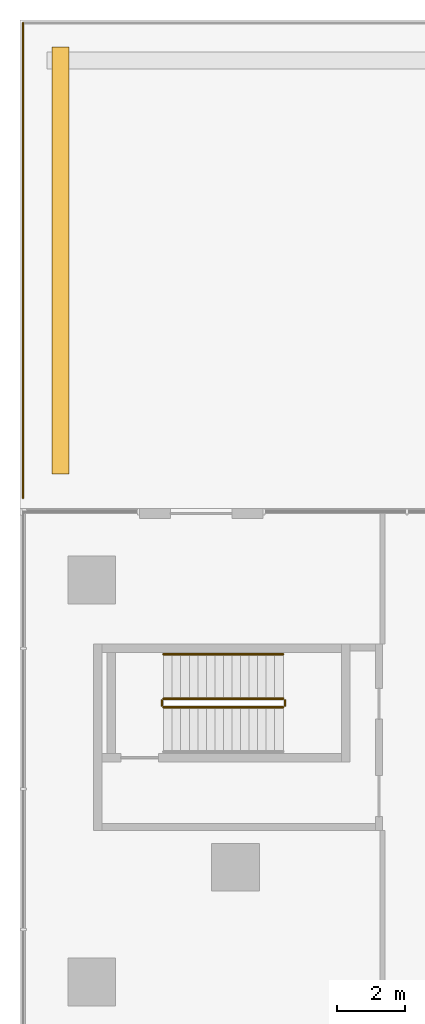
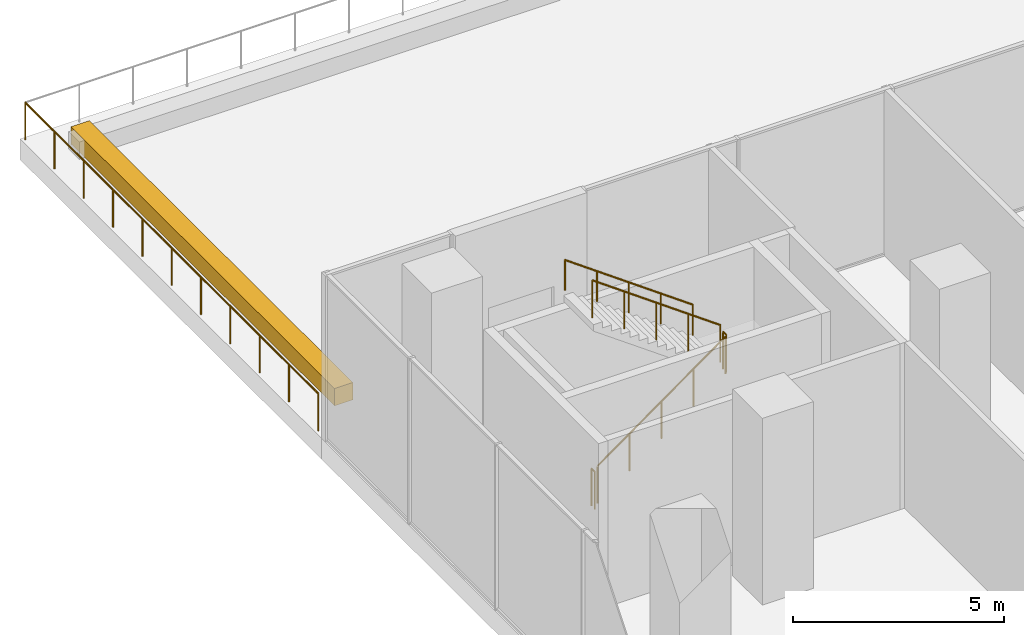
# One storey, part 23 of 24: 6 railings, 1 covering.
"""IFC4 building model written with IfcOpenShell, lengths in metres."""

from ifc_helpers import new_model, si_unit, direction, frame, origin, origin_2d, place, context, subcontext, project, spatial, rectangle, circle, extrude, source, transform, mapped, material, type_object, element, save


model = new_model("IFC4")

# Units and contexts
model_context = context("Model", 3, precision=1e-05, world=origin(), true_north=direction((0.0, 1.0)))
body_context = subcontext(model_context, "Body", "Model", "MODEL_VIEW")
ifc_project = project(units=[si_unit("LENGTHUNIT", "METRE"), si_unit("AREAUNIT", "SQUARE_METRE"), si_unit("VOLUMEUNIT", "CUBIC_METRE"), si_unit("PLANEANGLEUNIT", "RADIAN"), si_unit("MASSUNIT", "GRAM", prefix="KILO")], contexts=[model_context])

# Site, building, storey
site_placement = place(None, origin())
site = spatial("IfcSite", under=ifc_project, at=site_placement, CompositionType="ELEMENT")
building_placement = place(site_placement, origin())
building = spatial("IfcBuilding", under=site, at=building_placement, Name="Aurelian Terraces", CompositionType="ELEMENT")
storey_placement = place(building_placement, frame((0.0, 0.0, 12.9)))
storey = spatial("IfcBuildingStorey", under=building, at=storey_placement, Name="L02", CompositionType="ELEMENT", Elevation=12.9)

# Railing
ifc_material_1 = material(Name="Anodised aluminium", Category="aluminium")
railing_type_1 = type_object("IfcRailingType", Name="GUARD-1100", PredefinedType="GUARDRAIL", material=ifc_material_1)
railing_1_placement = place(storey_placement, frame((-2.01, 72.12, 0.0)))
element("IfcRailing", 1, at=railing_1_placement, inside=storey, type_object=railing_type_1, Name="Terrace guard L02 L02-X1.1", PredefinedType="GUARDRAIL", context=body_context, shape_type="SweptSolid", body=[
    extrude(circle(Radius=0.024, at=origin_2d()), frame((0.0, 0.0, 1.076), z_axis=(0.0, 1.0, 0.0), x_axis=(-1.0, 0.0, 0.0)), (0.0, 0.0, 1.0), 13.89),
    extrude(circle(Radius=0.021, at=origin_2d()), origin(), (0.0, 0.0, 1.0), 1.052),
    extrude(circle(Radius=0.021, at=origin_2d()), frame((0.0, 1.389, 0.0)), (0.0, 0.0, 1.0), 1.052),
    extrude(circle(Radius=0.021, at=origin_2d()), frame((0.0, 2.778, 0.0)), (0.0, 0.0, 1.0), 1.052),
    extrude(circle(Radius=0.021, at=origin_2d()), frame((0.0, 4.167, 0.0)), (0.0, 0.0, 1.0), 1.052),
    extrude(circle(Radius=0.021, at=origin_2d()), frame((0.0, 5.556, 0.0)), (0.0, 0.0, 1.0), 1.052),
    extrude(circle(Radius=0.021, at=origin_2d()), frame((0.0, 6.945, 0.0)), (0.0, 0.0, 1.0), 1.052),
    extrude(circle(Radius=0.021, at=origin_2d()), frame((0.0, 8.334, 0.0)), (0.0, 0.0, 1.0), 1.052),
    extrude(circle(Radius=0.021, at=origin_2d()), frame((0.0, 9.723, 0.0)), (0.0, 0.0, 1.0), 1.052),
    extrude(circle(Radius=0.021, at=origin_2d()), frame((0.0, 11.112, 0.0)), (0.0, 0.0, 1.0), 1.052),
    extrude(circle(Radius=0.021, at=origin_2d()), frame((0.0, 12.501, 0.0)), (0.0, 0.0, 1.0), 1.052),
    extrude(circle(Radius=0.021, at=origin_2d()), frame((0.0, 13.89, 0.0)), (0.0, 0.0, 1.0), 1.052),
])

# Covering
ifc_material_2 = material(Name="Terracotta planter with planting soil", Category="masonry")
covering_type = type_object("IfcCoveringType", Name="PLANTER-TROUGH", PredefinedType="USERDEFINED", material=ifc_material_2)
covering_placement = place(storey_placement, frame((-0.91, 79.065, 0.0), z_axis=(0.0, 0.0, 1.0), x_axis=(1.0, 0.0, 0.0)))
element("IfcCovering", 2, at=covering_placement, inside=storey, type_object=covering_type, Name="PLANTER L02 terrace L02-X1-0.1", ObjectType="PLANTER", PredefinedType="USERDEFINED", context=body_context, shape_type="SweptSolid", body=[
    extrude(rectangle(XDim=0.5, YDim=12.49, at=origin_2d()), origin(), (0.0, 0.0, 1.0), 0.5),
])

# Railings
ifc_material_3 = material(Name="Stainless steel", Category="steel")
railing_type_2 = type_object("IfcRailingType", Name="Stair guard 1100", PredefinedType="GUARDRAIL", material=ifc_material_3)
shared_shape_1 = source(origin(), body_context, "Body", "SweptSolid", [
    extrude(circle(Radius=0.024, at=origin_2d()), frame((0.0, 0.0, 1.076), z_axis=(0.0, 1.0, 0.0), x_axis=(-1.0, 0.0, 0.0)), (0.0, 0.0, 1.0), 0.15),
    extrude(circle(Radius=0.021, at=origin_2d()), origin(), (0.0, 0.0, 1.0), 1.052),
    extrude(circle(Radius=0.021, at=origin_2d()), frame((0.0, 0.15, 0.0)), (0.0, 0.0, 1.0), 1.052),
])
for number, where, name in (
    (3, (5.65, 66.05, 2.7), "L02 S5 stair guard 2"),
    (4, (2.05, 66.05, 0.0), "L02 S5 stair guard 4"),
):
    element("IfcRailing", number, at=place(storey_placement, frame(where)), inside=storey, type_object=railing_type_2, Name=name, PredefinedType="GUARDRAIL", context=body_context, shape_type="MappedRepresentation", body=[
        mapped(shared_shape_1, transform((0.0, 0.0, 0.0), scale=1.0)),
    ])
shared_shape_2 = source(origin(), body_context, "Body", "SweptSolid", [
    extrude(circle(Radius=0.024, at=origin_2d()), frame((0.0, 0.0, 1.076), z_axis=(0.811534341451, 0.0, 0.584304725845), x_axis=(0.0, 1.0, 0.0)), (0.0, 0.0, 1.0), 4.3128),
    extrude(circle(Radius=0.021, at=origin_2d()), origin(), (0.0, 0.0, 1.0), 1.052),
    extrude(circle(Radius=0.021, at=origin_2d()), frame((0.875, 0.0, 0.63)), (0.0, 0.0, 1.0), 1.052),
    extrude(circle(Radius=0.021, at=origin_2d()), frame((1.75, 0.0, 1.26)), (0.0, 0.0, 1.0), 1.052),
    extrude(circle(Radius=0.021, at=origin_2d()), frame((2.625, 0.0, 1.89)), (0.0, 0.0, 1.0), 1.052),
    extrude(circle(Radius=0.021, at=origin_2d()), frame((3.5, 0.0, 2.52)), (0.0, 0.0, 1.0), 1.052),
])
railing_2_placement = place(storey_placement, frame((2.1, 66.0, 0.18)))
element("IfcRailing", 5, at=railing_2_placement, inside=storey, type_object=railing_type_2, Name="L02 S5 stair guard 1", PredefinedType="GUARDRAIL", context=body_context, shape_type="MappedRepresentation", body=[
    mapped(shared_shape_2, transform((0.0, 0.0, 0.0), scale=1.0)),
])
shared_shape_3 = source(origin(), body_context, "Body", "SweptSolid", [
    extrude(circle(Radius=0.024, at=origin_2d()), frame((0.0, 0.0, 1.076), z_axis=(-0.811534341451, 0.0, 0.584304725845), x_axis=(0.0, -1.0, 0.0)), (0.0, 0.0, 1.0), 4.3128),
    extrude(circle(Radius=0.021, at=origin_2d()), origin(), (0.0, 0.0, 1.0), 1.052),
    extrude(circle(Radius=0.021, at=origin_2d()), frame((-0.875, 0.0, 0.63)), (0.0, 0.0, 1.0), 1.052),
    extrude(circle(Radius=0.021, at=origin_2d()), frame((-1.75, 0.0, 1.26)), (0.0, 0.0, 1.0), 1.052),
    extrude(circle(Radius=0.021, at=origin_2d()), frame((-2.625, 0.0, 1.89)), (0.0, 0.0, 1.0), 1.052),
    extrude(circle(Radius=0.021, at=origin_2d()), frame((-3.5, 0.0, 2.52)), (0.0, 0.0, 1.0), 1.052),
])
railing_3_placement = place(storey_placement, frame((5.6, 66.25, 2.88)))
element("IfcRailing", 6, at=railing_3_placement, inside=storey, type_object=railing_type_2, Name="L02 S5 stair guard 3", PredefinedType="GUARDRAIL", context=body_context, shape_type="MappedRepresentation", body=[
    mapped(shared_shape_3, transform((0.0, 0.0, 0.0), scale=1.0)),
])
railing_type_3 = type_object("IfcRailingType", Name="Stair handrail", PredefinedType="HANDRAIL", material=ifc_material_3)
shared_shape_4 = source(origin(), body_context, "Body", "SweptSolid", [
    extrude(circle(Radius=0.024, at=origin_2d()), frame((0.0, 0.0, 0.876), z_axis=(-0.811534341451, 0.0, 0.584304725845), x_axis=(0.0, -1.0, 0.0)), (0.0, 0.0, 1.0), 4.3128),
    extrude(circle(Radius=0.021, at=origin_2d()), origin(), (0.0, 0.0, 1.0), 0.852),
    extrude(circle(Radius=0.021, at=origin_2d()), frame((-0.875, 0.0, 0.63)), (0.0, 0.0, 1.0), 0.852),
    extrude(circle(Radius=0.021, at=origin_2d()), frame((-1.75, 0.0, 1.26)), (0.0, 0.0, 1.0), 0.852),
    extrude(circle(Radius=0.021, at=origin_2d()), frame((-2.625, 0.0, 1.89)), (0.0, 0.0, 1.0), 0.852),
    extrude(circle(Radius=0.021, at=origin_2d()), frame((-3.5, 0.0, 2.52)), (0.0, 0.0, 1.0), 0.852),
])
railing_4_placement = place(storey_placement, frame((5.6, 67.55, 2.88)))
element("IfcRailing", 7, at=railing_4_placement, inside=storey, type_object=railing_type_3, Name="L02 S5 stair handrail 2", PredefinedType="HANDRAIL", context=body_context, shape_type="MappedRepresentation", body=[
    mapped(shared_shape_4, transform((0.0, 0.0, 0.0), scale=1.0)),
])

save(model, "model.ifc")
